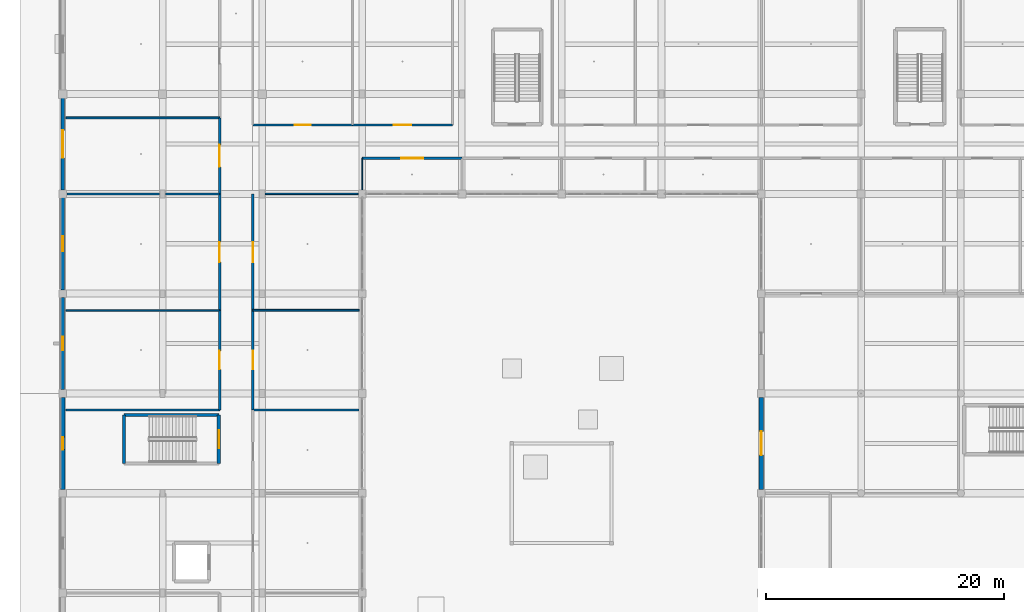
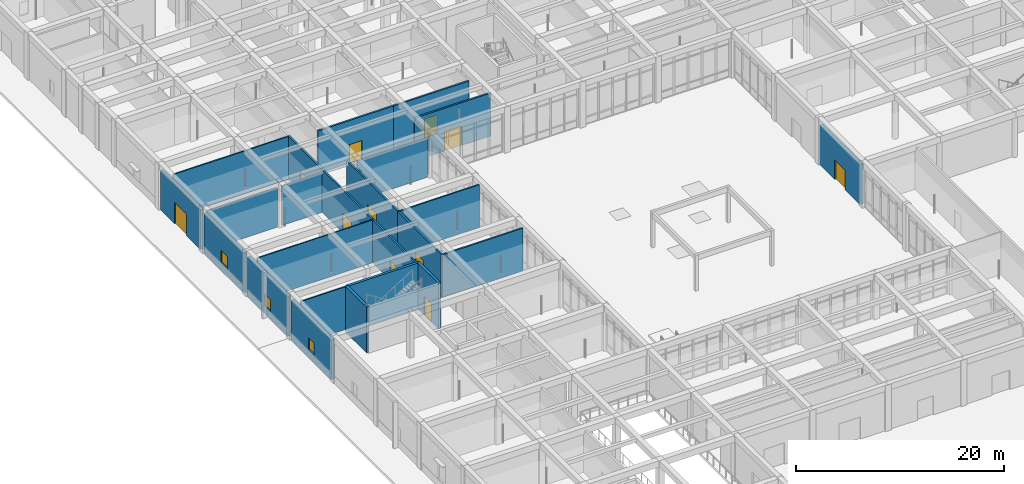
# One storey, part 65 of 167: 25 walls, 11 doors, 3 windows, 14 openings.
"""IFC4 building model written with IfcOpenShell, lengths in metres."""

from ifc_helpers import new_model, si_unit, direction, frame, frame_2d, origin, place, context, subcontext, project, spatial, rectangle, extrude, material, layer, layer_set, type_object, element, fill, save


model = new_model("IFC4")

# Units and contexts
model_context = context("Model", 3, precision=1e-05, world=origin(), true_north=direction((0.0, 1.0)))
body_context = subcontext(model_context, "Body", "Model", "MODEL_VIEW")
ifc_project = project(units=[si_unit("LENGTHUNIT", "METRE"), si_unit("AREAUNIT", "SQUARE_METRE"), si_unit("VOLUMEUNIT", "CUBIC_METRE"), si_unit("PLANEANGLEUNIT", "RADIAN"), si_unit("MASSUNIT", "GRAM", prefix="KILO")], contexts=[model_context])

# Site, building, storey
site_placement = place(None, origin())
site = spatial("IfcSite", under=ifc_project, at=site_placement, CompositionType="ELEMENT")
building_placement = place(site_placement, origin())
building = spatial("IfcBuilding", under=site, at=building_placement, Name="Varncliffe General Hospital", CompositionType="ELEMENT")
storey_placement = place(building_placement, origin())
storey = spatial("IfcBuildingStorey", under=building, at=storey_placement, Name="L00", CompositionType="ELEMENT", Elevation=0.0)

# Wall, opening, window
ifc_material_1 = material(Name="Precast concrete C40/50 with insulated cream lime-cement stucco", Category="concrete")
ifc_layer_1 = layer(ifc_material_1, 0.31005859375)
ifc_layer_set_1 = layer_set([ifc_layer_1], Name="Precast concrete C40/50 with insulated cream lime-cement stucco")
wall_type_1 = type_object("IfcWallType", Name="Exterior Insulated Stucco Wall EW20 (310mm)", PredefinedType="SOLIDWALL", material=ifc_layer_set_1)
wall_1_placement = place(storey_placement, frame((0.0, 74.722900390625, 0.0), z_axis=(0.0, 0.0, 1.0), x_axis=(0.0, 1.0, 0.0)))
wall_1 = element("IfcWall", 1, at=wall_1_placement, inside=storey, type_object=wall_type_1, Name="L00 Exterior Stucco Wall EW20-5", PredefinedType="SOLIDWALL", context=body_context, shape_type="SweptSolid", body=[
    extrude(rectangle(XDim=7.754150390625, YDim=0.31005859375, at=frame_2d((3.876953125, 0.0))), origin(), (0.0, 0.0, 1.0), 4.679931640625),
])
opening_1_placement = place(wall_1_placement, frame((3.251953125, 0.0, 0.89990234375)))
opening_1 = element("IfcOpeningElement", 2, at=opening_1_placement, cuts=wall_1, Name="Opening WN43", PredefinedType="OPENING", context=body_context, shape_type="SweptSolid", body=[
    extrude(rectangle(XDim=1.25, YDim=1.39990234375, at=frame_2d((0.625, 0.699951171875))), frame((0.0, 0.1650390625, 0.0), z_axis=(0.0, -1.0, 0.0), x_axis=(1.0, 0.0, 0.0)), (0.0, 0.0, 1.0), 0.330078125),
])
ifc_material_2 = material(Name="Triple low-E argon insulated vision glazing", Category="glass")
window_type_1 = type_object("IfcWindowType", Name="Triple-Glazed Hospital Window WN43 (1250x1400)", PartitioningType="SINGLE_PANEL", PredefinedType="WINDOW", material=ifc_material_2)
window_1_placement = place(opening_1_placement, origin())
window_1 = element("IfcWindow", 3, at=window_1_placement, inside=storey, type_object=window_type_1, Name="L00 Hospital Window WN43-5", OverallHeight=1.39990234375, OverallWidth=1.25, PartitioningType="SINGLE_PANEL", PredefinedType="WINDOW", context=body_context, shape_type="SweptSolid", body=[
    extrude(rectangle(XDim=1.25, YDim=1.39990234375, at=frame_2d((0.625, 0.699951171875))), frame((0.0, 0.030029296875, 0.0), z_axis=(0.0, -1.0, 0.0), x_axis=(1.0, 0.0, 0.0)), (0.0, 0.0, 1.0), 0.06005859375),
])
fill(opening_1, window_1)

# Wall, opening, door
ifc_layer_2 = layer(ifc_material_1, 0.3798828125)
ifc_layer_set_2 = layer_set([ifc_layer_2], Name="Precast concrete C40/50 with insulated cream lime-cement stucco")
wall_type_2 = type_object("IfcWallType", Name="Exterior Insulated Stucco Wall EW26 (380mm)", PredefinedType="SOLIDWALL", material=ifc_layer_set_2)
wall_2_placement = place(storey_placement, frame((58.800048828125, 57.923095703125, 0.0), z_axis=(0.0, 0.0, 1.0), x_axis=(0.0, 1.0, 0.0)))
wall_2 = element("IfcWall", 4, at=wall_2_placement, inside=storey, type_object=wall_type_2, Name="L00 Exterior Stucco Wall EW26-82", PredefinedType="SOLIDWALL", context=body_context, shape_type="SweptSolid", body=[
    extrude(rectangle(XDim=7.75390625, YDim=0.3798828125, at=frame_2d((3.876953125, 0.0))), origin(), (0.0, 0.0, 1.0), 4.679931640625),
])
opening_2_placement = place(wall_2_placement, frame((2.876953125, 0.0, 0.0)))
opening_2 = element("IfcOpeningElement", 5, at=opening_2_placement, cuts=wall_2, Name="Opening DE53", PredefinedType="OPENING", context=body_context, shape_type="SweptSolid", body=[
    extrude(rectangle(XDim=2.0, YDim=2.300048828125, at=frame_2d((1.0, 1.14990234375))), frame((0.0, 0.199951171875, 0.0), z_axis=(0.0, -1.0, 0.0), x_axis=(1.0, 0.0, 0.0)), (0.0, 0.0, 1.0), 0.39990234375),
])
ifc_material_3 = material(Name="Thermally broken bronze-anodized aluminium and safety glass door", Category="aluminium")
door_type_1 = type_object("IfcDoorType", Name="Exterior Pedestrian Door DE53 (2000x2300)", OperationType="NOTDEFINED", PredefinedType="DOOR", material=ifc_material_3)
door_1_placement = place(opening_2_placement, origin())
door_1 = element("IfcDoor", 6, at=door_1_placement, inside=storey, type_object=door_type_1, Name="Main Pedestrian Entrance and Final Exit Door FE-28", OperationType="DOUBLE_DOOR_SINGLE_SWING", OverallHeight=2.300048828125, OverallWidth=2.0, PredefinedType="DOOR", context=body_context, shape_type="SweptSolid", body=[
    extrude(rectangle(XDim=2.0, YDim=2.300048828125, at=frame_2d((1.0, 1.14990234375))), frame((0.0, 0.02490234375, 0.0), z_axis=(0.0, -1.0, 0.0), x_axis=(1.0, 0.0, 0.0)), (0.0, 0.0, 1.0), 0.050048828125),
])
fill(opening_2, door_1)

ifc_layer_3 = layer(ifc_material_1, 0.2900390625)
ifc_layer_set_3 = layer_set([ifc_layer_3], Name="Precast concrete C40/50 with insulated cream lime-cement stucco")
wall_type_3 = type_object("IfcWallType", Name="Exterior Insulated Stucco Wall EW31 (290mm)", PredefinedType="SOLIDWALL", material=ifc_layer_set_3)
wall_3_placement = place(storey_placement, frame((0.0, 83.123046875, 0.0), z_axis=(0.0, 0.0, 1.0), x_axis=(0.0, 1.0, 0.0)))
wall_3 = element("IfcWall", 7, at=wall_3_placement, inside=storey, type_object=wall_type_3, Name="L00 Exterior Stucco Wall EW31-6", PredefinedType="SOLIDWALL", context=body_context, shape_type="SweptSolid", body=[
    extrude(rectangle(XDim=7.72900390625, YDim=0.2900390625, at=frame_2d((3.864501953125, 0.0))), origin(), (0.0, 0.0, 1.0), 4.679931640625),
])
opening_3_placement = place(wall_3_placement, frame((2.714599609375, 0.0, 0.0)))
opening_3 = element("IfcOpeningElement", 8, at=opening_3_placement, cuts=wall_3, Name="Opening DE14", PredefinedType="OPENING", context=body_context, shape_type="SweptSolid", body=[
    extrude(rectangle(XDim=2.300048828125, YDim=2.5, at=frame_2d((1.14990234375, 1.25))), frame((0.0, 0.155029296875, 0.0), z_axis=(0.0, -1.0, 0.0), x_axis=(1.0, 0.0, 0.0)), (0.0, 0.0, 1.0), 0.31005859375),
])
door_type_2 = type_object("IfcDoorType", Name="Exterior Pedestrian Door DE14 (2300x2500)", OperationType="NOTDEFINED", PredefinedType="DOOR", material=ifc_material_3)
door_2_placement = place(opening_3_placement, origin())
door_2 = element("IfcDoor", 9, at=door_2_placement, inside=storey, type_object=door_type_2, Name="Main Pedestrian Entrance and Final Exit Door FE-01", OperationType="DOUBLE_DOOR_SINGLE_SWING", OverallHeight=2.5, OverallWidth=2.300048828125, PredefinedType="DOOR", context=body_context, shape_type="SweptSolid", body=[
    extrude(rectangle(XDim=2.300048828125, YDim=2.5, at=frame_2d((1.14990234375, 1.25))), frame((0.0, 0.02490234375, 0.0), z_axis=(0.0, -1.0, 0.0), x_axis=(1.0, 0.0, 0.0)), (0.0, 0.0, 1.0), 0.050048828125),
])
fill(opening_3, door_2)

# Wall, opening, window
ifc_layer_4 = layer(ifc_material_1, 0.330078125)
ifc_layer_set_4 = layer_set([ifc_layer_4], Name="Precast concrete C40/50 with insulated cream lime-cement stucco")
wall_type_4 = type_object("IfcWallType", Name="Exterior Insulated Stucco Wall EW33 (330mm)", PredefinedType="SOLIDWALL", material=ifc_layer_set_4)
wall_4_placement = place(storey_placement, frame((0.0, 66.322998046875, 0.0), z_axis=(0.0, 0.0, 1.0), x_axis=(0.0, 1.0, 0.0)))
wall_4 = element("IfcWall", 10, at=wall_4_placement, inside=storey, type_object=wall_type_4, Name="L00 Exterior Stucco Wall EW33-4", PredefinedType="SOLIDWALL", context=body_context, shape_type="SweptSolid", body=[
    extrude(rectangle(XDim=7.75390625, YDim=0.330078125, at=frame_2d((3.876953125, 0.0))), origin(), (0.0, 0.0, 1.0), 4.679931640625),
])
opening_4_placement = place(wall_4_placement, frame((3.302001953125, 0.0, 0.89990234375)))
opening_4 = element("IfcOpeningElement", 11, at=opening_4_placement, cuts=wall_4, Name="Opening WN62", PredefinedType="OPENING", context=body_context, shape_type="SweptSolid", body=[
    extrude(rectangle(XDim=1.14990234375, YDim=1.39990234375, at=frame_2d((0.574951171875, 0.699951171875))), frame((0.0, 0.175048828125, 0.0), z_axis=(0.0, -1.0, 0.0), x_axis=(1.0, 0.0, 0.0)), (0.0, 0.0, 1.0), 0.35009765625),
])
window_type_2 = type_object("IfcWindowType", Name="Triple-Glazed Hospital Window WN62 (1150x1400)", PartitioningType="SINGLE_PANEL", PredefinedType="WINDOW", material=ifc_material_2)
window_2_placement = place(opening_4_placement, origin())
window_2 = element("IfcWindow", 12, at=window_2_placement, inside=storey, type_object=window_type_2, Name="L00 Hospital Window WN62-4", OverallHeight=1.39990234375, OverallWidth=1.14990234375, PartitioningType="SINGLE_PANEL", PredefinedType="WINDOW", context=body_context, shape_type="SweptSolid", body=[
    extrude(rectangle(XDim=1.14990234375, YDim=1.39990234375, at=frame_2d((0.574951171875, 0.699951171875))), frame((0.0, 0.030029296875, 0.0), z_axis=(0.0, -1.0, 0.0), x_axis=(1.0, 0.0, 0.0)), (0.0, 0.0, 1.0), 0.06005859375),
])
fill(opening_4, window_2)

ifc_layer_5 = layer(ifc_material_1, 0.35009765625)
ifc_layer_set_5 = layer_set([ifc_layer_5], Name="Precast concrete C40/50 with insulated cream lime-cement stucco")
wall_type_5 = type_object("IfcWallType", Name="Exterior Insulated Stucco Wall EW37 (350mm)", PredefinedType="SOLIDWALL", material=ifc_layer_set_5)
wall_5_placement = place(storey_placement, frame((0.0, 57.923095703125, 0.0), z_axis=(0.0, 0.0, 1.0), x_axis=(0.0, 1.0, 0.0)))
wall_5 = element("IfcWall", 13, at=wall_5_placement, inside=storey, type_object=wall_type_5, Name="L00 Exterior Stucco Wall EW37-3", PredefinedType="SOLIDWALL", context=body_context, shape_type="SweptSolid", body=[
    extrude(rectangle(XDim=7.75390625, YDim=0.35009765625, at=frame_2d((3.876953125, 0.0))), origin(), (0.0, 0.0, 1.0), 4.679931640625),
])
opening_5_placement = place(wall_5_placement, frame((3.35205078125, 0.0, 0.89990234375)))
opening_5 = element("IfcOpeningElement", 14, at=opening_5_placement, cuts=wall_5, Name="Opening WN68", PredefinedType="OPENING", context=body_context, shape_type="SweptSolid", body=[
    extrude(rectangle(XDim=1.050048828125, YDim=1.39990234375, at=frame_2d((0.52490234375, 0.699951171875))), frame((0.0, 0.18505859375, 0.0), z_axis=(0.0, -1.0, 0.0), x_axis=(1.0, 0.0, 0.0)), (0.0, 0.0, 1.0), 0.3701171875),
])
window_type_3 = type_object("IfcWindowType", Name="Triple-Glazed Hospital Window WN68 (1050x1400)", PartitioningType="SINGLE_PANEL", PredefinedType="WINDOW", material=ifc_material_2)
window_3_placement = place(opening_5_placement, origin())
window_3 = element("IfcWindow", 15, at=window_3_placement, inside=storey, type_object=window_type_3, Name="L00 Hospital Window WN68-3", OverallHeight=1.39990234375, OverallWidth=1.050048828125, PartitioningType="SINGLE_PANEL", PredefinedType="WINDOW", context=body_context, shape_type="SweptSolid", body=[
    extrude(rectangle(XDim=1.050048828125, YDim=1.39990234375, at=frame_2d((0.52490234375, 0.699951171875))), frame((0.0, 0.030029296875, 0.0), z_axis=(0.0, -1.0, 0.0), x_axis=(1.0, 0.0, 0.0)), (0.0, 0.0, 1.0), 0.06005859375),
])
fill(opening_5, window_3)

# Walls
ifc_material_4 = material(Name="Acoustic clinical gypsum stud partition assembly", Category="gypsum")
ifc_layer_6 = layer(ifc_material_4, 0.1298828125)
ifc_layer_set_6 = layer_set([ifc_layer_6], Name="Acoustic clinical gypsum stud partition assembly")
wall_type_6 = type_object("IfcWallType", Name="Interior Partitioning IW11 (130mm)", PredefinedType="PARTITIONING", material=ifc_layer_set_6)
wall_6_placement = place(storey_placement, frame((0.260009765625, 73.0, 0.0), z_axis=(0.0, 0.0, 1.0), x_axis=(1.0, 0.0, 0.0)))
element("IfcWall", 16, at=wall_6_placement, inside=storey, type_object=wall_type_6, Name="L00 Interior Partition Wall IW11-123", PredefinedType="PARTITIONING", context=body_context, shape_type="SweptSolid", body=[
    extrude(rectangle(XDim=12.93994140625, YDim=0.1298828125, at=frame_2d((6.469970703125, 0.0))), origin(), (0.0, 0.0, 1.0), 5.0400390625),
])
ifc_layer_7 = layer(ifc_material_4, 0.169921875)
ifc_layer_set_7 = layer_set([ifc_layer_7], Name="Acoustic clinical gypsum stud partition assembly")
wall_type_7 = type_object("IfcWallType", Name="Interior Partitioning IW20 (170mm)", PredefinedType="PARTITIONING", material=ifc_layer_set_7)
wall_7_placement = place(storey_placement, frame((16.0, 64.60009765625, 0.0), z_axis=(0.0, 0.0, 1.0), x_axis=(1.0, 0.0, 0.0)))
element("IfcWall", 17, at=wall_7_placement, inside=storey, type_object=wall_type_7, Name="L00 Interior Partition Wall IW20-120", PredefinedType="PARTITIONING", context=body_context, shape_type="SweptSolid", body=[
    extrude(rectangle(XDim=8.93994140625, YDim=0.169921875, at=frame_2d((4.469970703125, 0.0))), origin(), (0.0, 0.0, 1.0), 5.0400390625),
])
wall_8_placement = place(storey_placement, frame((0.340087890625, 82.800048828125, 0.0), z_axis=(0.0, 0.0, 1.0), x_axis=(1.0, 0.0, 0.0)))
element("IfcWall", 18, at=wall_8_placement, inside=storey, type_object=wall_type_7, Name="L00 Interior Partition Wall IW20-140", PredefinedType="PARTITIONING", context=body_context, shape_type="SweptSolid", body=[
    extrude(rectangle(XDim=7.81982421875, YDim=0.169921875, at=frame_2d((3.909912109375, 0.0))), origin(), (0.0, 0.0, 1.0), 4.635009765625),
])
wall_9_placement = place(storey_placement, frame((8.639892578125, 82.800048828125, 0.0), z_axis=(0.0, 0.0, 1.0), x_axis=(1.0, 0.0, 0.0)))
element("IfcWall", 19, at=wall_9_placement, inside=storey, type_object=wall_type_7, Name="L00 Interior Partition Wall IW20-141", PredefinedType="PARTITIONING", context=body_context, shape_type="SweptSolid", body=[
    extrude(rectangle(XDim=4.56005859375, YDim=0.169921875, at=frame_2d((2.280029296875, 0.0))), origin(), (0.0, 0.0, 1.0), 4.635009765625),
])
ifc_layer_8 = layer(ifc_material_4, 0.14990234375)
ifc_layer_set_8 = layer_set([ifc_layer_8], Name="Acoustic clinical gypsum stud partition assembly")
wall_type_8 = type_object("IfcWallType", Name="Interior Partitioning IW35 (150mm)", PredefinedType="PARTITIONING", material=ifc_layer_set_8)
wall_10_placement = place(storey_placement, frame((0.260009765625, 64.60009765625, 0.0), z_axis=(0.0, 0.0, 1.0), x_axis=(1.0, 0.0, 0.0)))
element("IfcWall", 20, at=wall_10_placement, inside=storey, type_object=wall_type_8, Name="L00 Interior Partition Wall IW35-119", PredefinedType="PARTITIONING", context=body_context, shape_type="SweptSolid", body=[
    extrude(rectangle(XDim=12.93994140625, YDim=0.14990234375, at=frame_2d((6.469970703125, 0.0))), origin(), (0.0, 0.0, 1.0), 5.0400390625),
])
wall_11_placement = place(storey_placement, frame((16.0, 73.0, 0.0), z_axis=(0.0, 0.0, 1.0), x_axis=(1.0, 0.0, 0.0)))
element("IfcWall", 21, at=wall_11_placement, inside=storey, type_object=wall_type_8, Name="L00 Interior Partition Wall IW35-124", PredefinedType="PARTITIONING", context=body_context, shape_type="SweptSolid", body=[
    extrude(rectangle(XDim=8.93994140625, YDim=0.14990234375, at=frame_2d((4.469970703125, 0.0))), origin(), (0.0, 0.0, 1.0), 5.0400390625),
])
wall_12_placement = place(storey_placement, frame((0.260009765625, 89.199951171875, 0.0), z_axis=(0.0, 0.0, 1.0), x_axis=(1.0, 0.0, 0.0)))
element("IfcWall", 22, at=wall_12_placement, inside=storey, type_object=wall_type_8, Name="L00 Interior Partition Wall IW35-174", PredefinedType="PARTITIONING", context=body_context, shape_type="SweptSolid", body=[
    extrude(rectangle(XDim=12.93994140625, YDim=0.14990234375, at=frame_2d((6.469970703125, 0.0))), origin(), (0.0, 0.0, 1.0), 5.0400390625),
])
ifc_layer_9 = layer(ifc_material_4, 0.090087890625)
ifc_layer_set_9 = layer_set([ifc_layer_9], Name="Acoustic clinical gypsum stud partition assembly")
wall_type_9 = type_object("IfcWallType", Name="Interior Partitioning IW42 (90mm)", PredefinedType="PARTITIONING", material=ifc_layer_set_9)
wall_13_placement = place(storey_placement, frame((25.199951171875, 83.139892578125, 0.0), z_axis=(0.0, 0.0, 1.0), x_axis=(0.0, 1.0, 0.0)))
element("IfcWall", 23, at=wall_13_placement, inside=storey, type_object=wall_type_9, Name="L00 Interior Partition Wall IW42-291", PredefinedType="PARTITIONING", context=body_context, shape_type="SweptSolid", body=[
    extrude(rectangle(XDim=2.66015625, YDim=0.090087890625, at=frame_2d((1.330078125, 0.0))), origin(), (0.0, 0.0, 1.0), 4.68505859375),
])
ifc_layer_10 = layer(ifc_material_4, 0.110107421875)
ifc_layer_set_10 = layer_set([ifc_layer_10], Name="Acoustic clinical gypsum stud partition assembly")
wall_type_10 = type_object("IfcWallType", Name="Interior Partitioning IW65 (110mm)", PredefinedType="PARTITIONING", material=ifc_layer_set_10)
wall_14_placement = place(storey_placement, frame((17.0400390625, 82.800048828125, 0.0), z_axis=(0.0, 0.0, 1.0), x_axis=(1.0, 0.0, 0.0)))
element("IfcWall", 24, at=wall_14_placement, inside=storey, type_object=wall_type_10, Name="L00 Interior Partition Wall IW65-142", PredefinedType="PARTITIONING", context=body_context, shape_type="SweptSolid", body=[
    extrude(rectangle(XDim=7.820068359375, YDim=0.110107421875, at=frame_2d((3.91015625, 0.0))), origin(), (0.0, 0.0, 1.0), 4.635009765625),
])

# Wall, opening, door
ifc_material_5 = material(Name="Fire-rated gypsum and mineral-wool partition assembly", Category="gypsum")
ifc_layer_11 = layer(ifc_material_5, 0.199951171875)
ifc_layer_set_11 = layer_set([ifc_layer_11], Name="Fire-rated gypsum and mineral-wool partition assembly")
wall_type_11 = type_object("IfcWallType", Name="Interior Partitioning PW63 (200mm)", PredefinedType="PARTITIONING", material=ifc_layer_set_11)
wall_15_placement = place(storey_placement, frame((25.199951171875, 85.800048828125, 0.0), z_axis=(0.0, 0.0, 1.0), x_axis=(1.0, 0.0, 0.0)))
wall_15 = element("IfcWall", 25, at=wall_15_placement, inside=storey, type_object=wall_type_11, Name="L00 Interior Partition Wall PW63-146", PredefinedType="PARTITIONING", context=body_context, shape_type="SweptSolid", body=[
    extrude(rectangle(XDim=8.400146484375, YDim=0.199951171875, at=frame_2d((4.2001953125, 0.0))), origin(), (0.0, 0.0, 1.0), 5.0400390625),
])
opening_6_placement = place(wall_15_placement, frame((3.27490234375, 0.0, 0.0)))
opening_6 = element("IfcOpeningElement", 26, at=opening_6_placement, cuts=wall_15, Name="Opening DC38", PredefinedType="OPENING", context=body_context, shape_type="SweptSolid", body=[
    extrude(rectangle(XDim=1.85009765625, YDim=2.300048828125, at=frame_2d((0.925048828125, 1.14990234375))), frame((0.0, 0.10986328125, 0.0), z_axis=(0.0, -1.0, 0.0), x_axis=(1.0, 0.0, 0.0)), (0.0, 0.0, 1.0), 0.219970703125),
])
ifc_material_6 = material(Name="Fire-rated hospital steel-frame vision-panel door", Category="steel")
door_type_3 = type_object("IfcDoorType", Name="Interior Hospital Door DC38 (1850x2300)", OperationType="NOTDEFINED", PredefinedType="DOOR", material=ifc_material_6)
door_3_placement = place(opening_6_placement, frame((1.85009765625, 0.0, 0.0), z_axis=(0.0, 0.0, 1.0), x_axis=(-1.0, 0.0, 0.0)))
door_3 = element("IfcDoor", 27, at=door_3_placement, inside=storey, type_object=door_type_3, Name="L00 Diagnostic 3T MRI Imaging Suite 60 Door", OperationType="SINGLE_SWING_LEFT", OverallHeight=2.300048828125, OverallWidth=1.85009765625, PredefinedType="DOOR", context=body_context, shape_type="SweptSolid", body=[
    extrude(rectangle(XDim=1.85009765625, YDim=2.300048828125, at=frame_2d((0.925048828125, 1.14990234375))), frame((0.0, 0.02490234375, 0.0), z_axis=(0.0, -1.0, 0.0), x_axis=(1.0, 0.0, 0.0)), (0.0, 0.0, 1.0), 0.050048828125),
])
fill(opening_6, door_3)

wall_16_placement = place(storey_placement, frame((16.0, 88.60009765625, 0.0), z_axis=(0.0, 0.0, 1.0), x_axis=(1.0, 0.0, 0.0)))
wall_16 = element("IfcWall", 28, at=wall_16_placement, inside=storey, type_object=wall_type_11, Name="L00 Interior Partition Wall PW63-163", PredefinedType="PARTITIONING", context=body_context, shape_type="SweptSolid", body=[
    extrude(rectangle(XDim=8.39990234375, YDim=0.199951171875, at=frame_2d((4.199951171875, 0.0))), origin(), (0.0, 0.0, 1.0), 5.0400390625),
])
opening_7_placement = place(wall_16_placement, frame((3.52490234375, 0.0, 0.0)))
opening_7 = element("IfcOpeningElement", 29, at=opening_7_placement, cuts=wall_16, Name="Opening DC85", PredefinedType="OPENING", context=body_context, shape_type="SweptSolid", body=[
    extrude(rectangle(XDim=1.35009765625, YDim=2.199951171875, at=frame_2d((0.675048828125, 1.10009765625))), frame((0.0, 0.10986328125, 0.0), z_axis=(0.0, -1.0, 0.0), x_axis=(1.0, 0.0, 0.0)), (0.0, 0.0, 1.0), 0.219970703125),
])
door_type_4 = type_object("IfcDoorType", Name="Interior Hospital Door DC85 (1350x2200)", OperationType="NOTDEFINED", PredefinedType="DOOR", material=ifc_material_6)
door_4_placement = place(opening_7_placement, origin())
door_4 = element("IfcDoor", 30, at=door_4_placement, inside=storey, type_object=door_type_4, Name="L00 Diagnostic 3T MRI Imaging Suite 64 Door", OperationType="SINGLE_SWING_RIGHT", OverallHeight=2.199951171875, OverallWidth=1.35009765625, PredefinedType="DOOR", context=body_context, shape_type="SweptSolid", body=[
    extrude(rectangle(XDim=1.35009765625, YDim=2.199951171875, at=frame_2d((0.675048828125, 1.10009765625))), frame((0.0, 0.02490234375, 0.0), z_axis=(0.0, -1.0, 0.0), x_axis=(1.0, 0.0, 0.0)), (0.0, 0.0, 1.0), 0.050048828125),
])
fill(opening_7, door_4)

wall_17_placement = place(storey_placement, frame((24.39990234375, 88.60009765625, 0.0), z_axis=(0.0, 0.0, 1.0), x_axis=(1.0, 0.0, 0.0)))
wall_17 = element("IfcWall", 31, at=wall_17_placement, inside=storey, type_object=wall_type_11, Name="L00 Interior Partition Wall PW63-164", PredefinedType="PARTITIONING", context=body_context, shape_type="SweptSolid", body=[
    extrude(rectangle(XDim=8.400146484375, YDim=0.199951171875, at=frame_2d((4.2001953125, 0.0))), origin(), (0.0, 0.0, 1.0), 5.0400390625),
])
opening_8_placement = place(wall_17_placement, frame((3.47509765625, 0.0, 0.0)))
opening_8 = element("IfcOpeningElement", 32, at=opening_8_placement, cuts=wall_17, Name="Opening DC66", PredefinedType="OPENING", context=body_context, shape_type="SweptSolid", body=[
    extrude(rectangle(XDim=1.449951171875, YDim=2.25, at=frame_2d((0.72509765625, 1.125))), frame((0.0, 0.10986328125, 0.0), z_axis=(0.0, -1.0, 0.0), x_axis=(1.0, 0.0, 0.0)), (0.0, 0.0, 1.0), 0.219970703125),
])
door_type_5 = type_object("IfcDoorType", Name="Interior Hospital Door DC66 (1450x2250)", OperationType="NOTDEFINED", PredefinedType="DOOR", material=ifc_material_6)
door_5_placement = place(opening_8_placement, origin())
door_5 = element("IfcDoor", 33, at=door_5_placement, inside=storey, type_object=door_type_5, Name="L00 Dual-Source CT Radiology Room 65 Door", OperationType="SINGLE_SWING_LEFT", OverallHeight=2.25, OverallWidth=1.449951171875, PredefinedType="DOOR", context=body_context, shape_type="SweptSolid", body=[
    extrude(rectangle(XDim=1.449951171875, YDim=2.25, at=frame_2d((0.72509765625, 1.125))), frame((0.0, 0.02490234375, 0.0), z_axis=(0.0, -1.0, 0.0), x_axis=(1.0, 0.0, 0.0)), (0.0, 0.0, 1.0), 0.050048828125),
])
fill(opening_8, door_5)

wall_18_placement = place(storey_placement, frame((13.199951171875, 64.60009765625, 0.0), z_axis=(0.0, 0.0, 1.0), x_axis=(0.0, 1.0, 0.0)))
wall_18 = element("IfcWall", 34, at=wall_18_placement, inside=storey, type_object=wall_type_11, Name="L00 Interior Partition Wall PW63-273", PredefinedType="PARTITIONING", context=body_context, shape_type="SweptSolid", body=[
    extrude(rectangle(XDim=8.39990234375, YDim=0.199951171875, at=frame_2d((4.199951171875, 0.0))), origin(), (0.0, 0.0, 1.0), 5.0400390625),
])
opening_9_placement = place(wall_18_placement, frame((3.425048828125, 0.0, 0.0)))
opening_9 = element("IfcOpeningElement", 35, at=opening_9_placement, cuts=wall_18, Name="Opening DC67", PredefinedType="OPENING", context=body_context, shape_type="SweptSolid", body=[
    extrude(rectangle(XDim=1.550048828125, YDim=2.25, at=frame_2d((0.77490234375, 1.125))), frame((0.0, 0.10986328125, 0.0), z_axis=(0.0, -1.0, 0.0), x_axis=(1.0, 0.0, 0.0)), (0.0, 0.0, 1.0), 0.219970703125),
])
door_type_6 = type_object("IfcDoorType", Name="Interior Hospital Door DC67 (1550x2250)", OperationType="NOTDEFINED", PredefinedType="DOOR", material=ifc_material_6)
door_6_placement = place(opening_9_placement, origin())
door_6 = element("IfcDoor", 36, at=door_6_placement, inside=storey, type_object=door_type_6, Name="L00 Diagnostic 3T MRI Imaging Suite 53 Door", OperationType="SINGLE_SWING_LEFT", OverallHeight=2.25, OverallWidth=1.550048828125, PredefinedType="DOOR", context=body_context, shape_type="SweptSolid", body=[
    extrude(rectangle(XDim=1.550048828125, YDim=2.25, at=frame_2d((0.77490234375, 1.125))), frame((0.0, 0.02490234375, 0.0), z_axis=(0.0, -1.0, 0.0), x_axis=(1.0, 0.0, 0.0)), (0.0, 0.0, 1.0), 0.050048828125),
])
fill(opening_9, door_6)

wall_19_placement = place(storey_placement, frame((13.199951171875, 73.0, 0.0), z_axis=(0.0, 0.0, 1.0), x_axis=(0.0, 1.0, 0.0)))
wall_19 = element("IfcWall", 37, at=wall_19_placement, inside=storey, type_object=wall_type_11, Name="L00 Interior Partition Wall PW63-274", PredefinedType="PARTITIONING", context=body_context, shape_type="SweptSolid", body=[
    extrude(rectangle(XDim=9.800048828125, YDim=0.199951171875, at=frame_2d((4.89990234375, 0.0))), origin(), (0.0, 0.0, 1.0), 5.0400390625),
])
opening_10_placement = place(wall_19_placement, frame((4.050048828125, 0.0, 0.0)))
opening_10 = element("IfcOpeningElement", 38, at=opening_10_placement, cuts=wall_19, Name="Opening DC50", PredefinedType="OPENING", context=body_context, shape_type="SweptSolid", body=[
    extrude(rectangle(XDim=1.699951171875, YDim=2.300048828125, at=frame_2d((0.85009765625, 1.14990234375))), frame((0.0, 0.10986328125, 0.0), z_axis=(0.0, -1.0, 0.0), x_axis=(1.0, 0.0, 0.0)), (0.0, 0.0, 1.0), 0.219970703125),
])
door_type_7 = type_object("IfcDoorType", Name="Interior Hospital Door DC50 (1700x2300)", OperationType="NOTDEFINED", PredefinedType="DOOR", material=ifc_material_6)
door_7_placement = place(opening_10_placement, origin())
door_7 = element("IfcDoor", 39, at=door_7_placement, inside=storey, type_object=door_type_7, Name="L00 Dual-Source CT Radiology Room 54 Door", OperationType="SINGLE_SWING_RIGHT", OverallHeight=2.300048828125, OverallWidth=1.699951171875, PredefinedType="DOOR", context=body_context, shape_type="SweptSolid", body=[
    extrude(rectangle(XDim=1.699951171875, YDim=2.300048828125, at=frame_2d((0.85009765625, 1.14990234375))), frame((0.0, 0.02490234375, 0.0), z_axis=(0.0, -1.0, 0.0), x_axis=(1.0, 0.0, 0.0)), (0.0, 0.0, 1.0), 0.050048828125),
])
fill(opening_10, door_7)

wall_20_placement = place(storey_placement, frame((13.199951171875, 82.800048828125, 0.0), z_axis=(0.0, 0.0, 1.0), x_axis=(0.0, 1.0, 0.0)))
wall_20 = element("IfcWall", 40, at=wall_20_placement, inside=storey, type_object=wall_type_11, Name="L00 Interior Partition Wall PW63-275", PredefinedType="PARTITIONING", context=body_context, shape_type="SweptSolid", body=[
    extrude(rectangle(XDim=6.39990234375, YDim=0.199951171875, at=frame_2d((3.199951171875, 0.0))), origin(), (0.0, 0.0, 1.0), 5.0400390625),
])
opening_11_placement = place(wall_20_placement, frame((2.27490234375, 0.0, 0.0)))
opening_11 = element("IfcOpeningElement", 41, at=opening_11_placement, cuts=wall_20, Name="Opening DC38", PredefinedType="OPENING", context=body_context, shape_type="SweptSolid", body=[
    extrude(rectangle(XDim=1.85009765625, YDim=2.300048828125, at=frame_2d((0.925048828125, 1.14990234375))), frame((0.0, 0.10986328125, 0.0), z_axis=(0.0, -1.0, 0.0), x_axis=(1.0, 0.0, 0.0)), (0.0, 0.0, 1.0), 0.219970703125),
])
door_8_placement = place(opening_11_placement, origin())
door_8 = element("IfcDoor", 42, at=door_8_placement, inside=storey, type_object=door_type_3, Name="L00 Outpatient Phlebotomy and Pre-Admission Clinic 137 Door", OperationType="SINGLE_SWING_LEFT", OverallHeight=2.300048828125, OverallWidth=1.85009765625, PredefinedType="DOOR", context=body_context, shape_type="SweptSolid", body=[
    extrude(rectangle(XDim=1.85009765625, YDim=2.300048828125, at=frame_2d((0.925048828125, 1.14990234375))), frame((0.0, 0.02490234375, 0.0), z_axis=(0.0, -1.0, 0.0), x_axis=(1.0, 0.0, 0.0)), (0.0, 0.0, 1.0), 0.050048828125),
])
fill(opening_11, door_8)

wall_21_placement = place(storey_placement, frame((16.0, 64.60009765625, 0.0), z_axis=(0.0, 0.0, 1.0), x_axis=(0.0, 1.0, 0.0)))
wall_21 = element("IfcWall", 43, at=wall_21_placement, inside=storey, type_object=wall_type_11, Name="L00 Interior Partition Wall PW63-280", PredefinedType="PARTITIONING", context=body_context, shape_type="SweptSolid", body=[
    extrude(rectangle(XDim=8.39990234375, YDim=0.199951171875, at=frame_2d((4.199951171875, 0.0))), origin(), (0.0, 0.0, 1.0), 5.0400390625),
])
opening_12_placement = place(wall_21_placement, frame((3.425048828125, 0.0, 0.0)))
opening_12 = element("IfcOpeningElement", 44, at=opening_12_placement, cuts=wall_21, Name="Opening DC67", PredefinedType="OPENING", context=body_context, shape_type="SweptSolid", body=[
    extrude(rectangle(XDim=1.550048828125, YDim=2.25, at=frame_2d((0.77490234375, 1.125))), frame((0.0, 0.10986328125, 0.0), z_axis=(0.0, -1.0, 0.0), x_axis=(1.0, 0.0, 0.0)), (0.0, 0.0, 1.0), 0.219970703125),
])
door_9_placement = place(opening_12_placement, frame((1.550048828125, 0.0, 0.0), z_axis=(0.0, 0.0, 1.0), x_axis=(-1.0, 0.0, 0.0)))
door_9 = element("IfcDoor", 45, at=door_9_placement, inside=storey, type_object=door_type_6, Name="L00 Diagnostic 3T MRI Imaging Suite 58 Door", OperationType="SINGLE_SWING_RIGHT", OverallHeight=2.25, OverallWidth=1.550048828125, PredefinedType="DOOR", context=body_context, shape_type="SweptSolid", body=[
    extrude(rectangle(XDim=1.550048828125, YDim=2.25, at=frame_2d((0.77490234375, 1.125))), frame((0.0, 0.02490234375, 0.0), z_axis=(0.0, -1.0, 0.0), x_axis=(1.0, 0.0, 0.0)), (0.0, 0.0, 1.0), 0.050048828125),
])
fill(opening_12, door_9)

wall_22_placement = place(storey_placement, frame((16.0, 73.0, 0.0), z_axis=(0.0, 0.0, 1.0), x_axis=(0.0, 1.0, 0.0)))
wall_22 = element("IfcWall", 46, at=wall_22_placement, inside=storey, type_object=wall_type_11, Name="L00 Interior Partition Wall PW63-281", PredefinedType="PARTITIONING", context=body_context, shape_type="SweptSolid", body=[
    extrude(rectangle(XDim=9.800048828125, YDim=0.199951171875, at=frame_2d((4.89990234375, 0.0))), origin(), (0.0, 0.0, 1.0), 5.0400390625),
])
opening_13_placement = place(wall_22_placement, frame((4.050048828125, 0.0, 0.0)))
opening_13 = element("IfcOpeningElement", 47, at=opening_13_placement, cuts=wall_22, Name="Opening DC50", PredefinedType="OPENING", context=body_context, shape_type="SweptSolid", body=[
    extrude(rectangle(XDim=1.699951171875, YDim=2.300048828125, at=frame_2d((0.85009765625, 1.14990234375))), frame((0.0, 0.10986328125, 0.0), z_axis=(0.0, -1.0, 0.0), x_axis=(1.0, 0.0, 0.0)), (0.0, 0.0, 1.0), 0.219970703125),
])
door_10_placement = place(opening_13_placement, frame((1.699951171875, 0.0, 0.0), z_axis=(0.0, 0.0, 1.0), x_axis=(-1.0, 0.0, 0.0)))
door_10 = element("IfcDoor", 48, at=door_10_placement, inside=storey, type_object=door_type_7, Name="L00 Dual-Source CT Radiology Room 59 Door", OperationType="SINGLE_SWING_LEFT", OverallHeight=2.300048828125, OverallWidth=1.699951171875, PredefinedType="DOOR", context=body_context, shape_type="SweptSolid", body=[
    extrude(rectangle(XDim=1.699951171875, YDim=2.300048828125, at=frame_2d((0.85009765625, 1.14990234375))), frame((0.0, 0.02490234375, 0.0), z_axis=(0.0, -1.0, 0.0), x_axis=(1.0, 0.0, 0.0)), (0.0, 0.0, 1.0), 0.050048828125),
])
fill(opening_13, door_10)

# Walls
ifc_material_7 = material(Name="Concrete C40/50 (CSA A23.1 40 MPa)", Category="concrete")
ifc_layer_12 = layer(ifc_material_7, 0.280029296875)
ifc_layer_set_12 = layer_set([ifc_layer_12], Name="Concrete C40/50 (CSA A23.1 40 MPa)")
wall_type_12 = type_object("IfcWallType", Name="Reinforced Concrete Core Shear Wall CW13 (280mm)", PredefinedType="SHEAR", material=ifc_layer_set_12)
wall_23_placement = place(storey_placement, frame((13.139892578125, 64.18994140625, 0.0), z_axis=(0.0, 0.0, 1.0), x_axis=(-1.0, 0.0, 0.0)))
element("IfcWall", 49, at=wall_23_placement, inside=storey, type_object=wall_type_12, Name="L00 ST05 Core Shear Wall L", PredefinedType="SHEAR", context=body_context, shape_type="SweptSolid", body=[
    extrude(rectangle(XDim=7.97998046875, YDim=0.280029296875, at=frame_2d((3.989990234375, 0.0))), origin(), (0.0, 0.0, 1.0), 5.39990234375),
])
wall_24_placement = place(storey_placement, frame((5.159912109375, 64.18994140625, 0.0), z_axis=(0.0, 0.0, 1.0), x_axis=(0.0, -1.0, 0.0)))
element("IfcWall", 50, at=wall_24_placement, inside=storey, type_object=wall_type_12, Name="L00 ST05 Core Shear Wall F", PredefinedType="SHEAR", context=body_context, shape_type="SweptSolid", body=[
    extrude(rectangle(XDim=4.079833984375, YDim=0.280029296875, at=frame_2d((2.0400390625, 0.0))), origin(), (0.0, 0.0, 1.0), 5.39990234375),
])

# Wall, opening, door
wall_25_placement = place(storey_placement, frame((13.139892578125, 60.110107421875, 0.0), z_axis=(0.0, 0.0, 1.0), x_axis=(0.0, 1.0, 0.0)))
wall_25 = element("IfcWall", 51, at=wall_25_placement, inside=storey, type_object=wall_type_12, Name="L00 ST05 Core Shear Wall N", PredefinedType="SHEAR", context=body_context, shape_type="SweptSolid", body=[
    extrude(rectangle(XDim=4.079833984375, YDim=0.280029296875, at=frame_2d((2.0400390625, 0.0))), origin(), (0.0, 0.0, 1.0), 5.39990234375),
])
opening_14_placement = place(wall_25_placement, frame((1.2900390625, 0.0, 0.0)))
opening_14 = element("IfcOpeningElement", 52, at=opening_14_placement, cuts=wall_25, Name="Opening DF28", PredefinedType="OPENING", context=body_context, shape_type="SweptSolid", body=[
    extrude(rectangle(XDim=1.5, YDim=2.199951171875, at=frame_2d((0.75, 1.10009765625))), frame((0.0, 0.14990234375, 0.0), z_axis=(0.0, -1.0, 0.0), x_axis=(1.0, 0.0, 0.0)), (0.0, 0.0, 1.0), 0.300048828125),
])
door_type_8 = type_object("IfcDoorType", Name="Interior Hospital Door DF28 (1500x2200)", OperationType="NOTDEFINED", PredefinedType="DOOR", material=ifc_material_6)
door_11_placement = place(opening_14_placement, origin())
door_11 = element("IfcDoor", 53, at=door_11_placement, inside=storey, type_object=door_type_8, Name="L00 ST05 Protected Exit Stair Door", OperationType="SINGLE_SWING_RIGHT", OverallHeight=2.199951171875, OverallWidth=1.5, PredefinedType="DOOR", context=body_context, shape_type="SweptSolid", body=[
    extrude(rectangle(XDim=1.5, YDim=2.199951171875, at=frame_2d((0.75, 1.10009765625))), frame((0.0, 0.02490234375, 0.0), z_axis=(0.0, -1.0, 0.0), x_axis=(1.0, 0.0, 0.0)), (0.0, 0.0, 1.0), 0.050048828125),
])
fill(opening_14, door_11)

save(model, "model.ifc")
